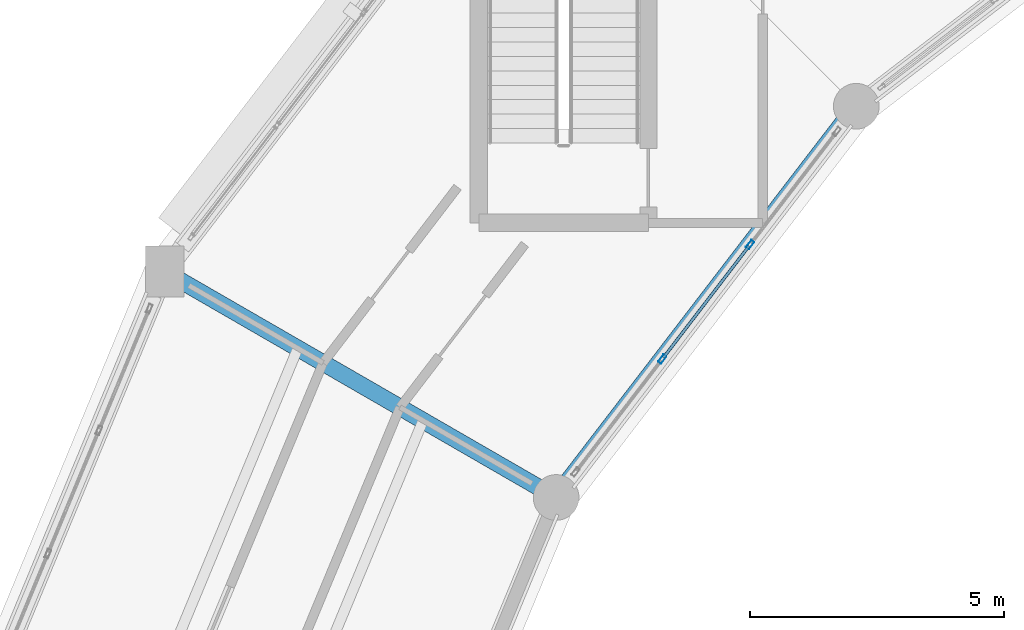
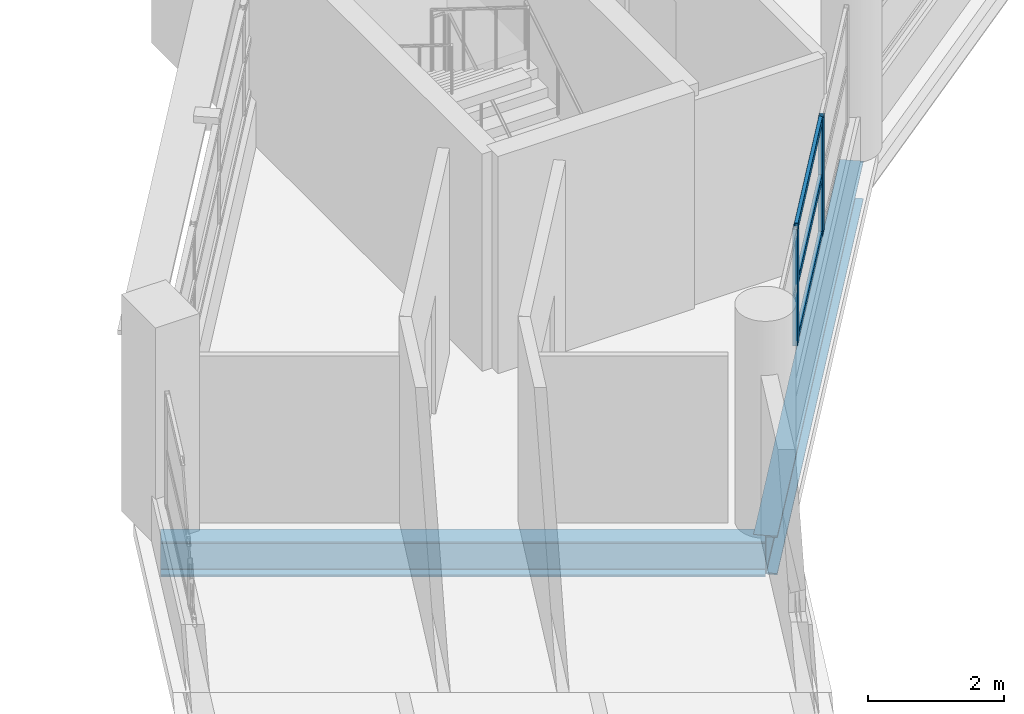
# One storey, part 23 of 53: 5 members, 2 beams, 1 element without a shape of its own.
"""IFC4 building model written with IfcOpenShell, lengths in metres."""

import ifcopenshell
import ifcopenshell.guid

model = None  # the IFC model being written
_history = None  # IfcOwnerHistory: only IFC2X3 demands one
_inside = {}  # id of a spatial element -> (the spatial element, [elements in it])
_under = {}  # id of a project, library or spatial element -> (it, [spatial elements below it])
_declared = {}  # id of a project -> (the project, [libraries it declares])
_typed = {}  # id of a type object -> (the type object, [elements of that type])
_made_of = {}  # id of a material, layer set ... -> (it, [elements and type objects made of it])


def new_model(schema):
    """Start an empty IFC model of exactly this schema.

    Asked for "IFC4X3", IfcOpenShell would pick the latest addendum, in which some entities
    have other attributes; the version numbers below select the first issue.
    IFC2X3 requires an IfcOwnerHistory on every rooted entity: one is made here for all.
    """
    global model, _history
    if schema == "IFC4X3":
        model = ifcopenshell.file(schema_version=(4, 3, 0, 0))
    else:
        model = ifcopenshell.file(schema=schema)
    _inside.clear()
    _under.clear()
    _declared.clear()
    _typed.clear()
    _made_of.clear()
    _history = None
    if model.schema == "IFC2X3":
        org = make("IfcOrganization", Name="unknown")
        user = make(
            "IfcPersonAndOrganization",
            ThePerson=make("IfcPerson", FamilyName="unknown"),
            TheOrganization=org,
        )
        app = make(
            "IfcApplication",
            ApplicationDeveloper=org,
            Version="unknown",
            ApplicationFullName="unknown",
            ApplicationIdentifier="unknown",
        )
        _history = make(
            "IfcOwnerHistory",
            OwningUser=user,
            OwningApplication=app,
            ChangeAction="ADDED",
            CreationDate=0,
        )
    return model


def make(cls, **values):
    """One entity of the class cls with the attributes given. An attribute that is None is left unset."""
    return model.create_entity(
        cls, **{name: value for name, value in values.items() if value is not None}
    )


def rooted(cls, **values):
    """An entity with a GlobalId (a new one), such as an element, a storey or a relation."""
    return make(cls, GlobalId=ifcopenshell.guid.new(), OwnerHistory=_history, **values)


def si_unit(unit_type, name, prefix=None):
    """IfcSIUnit, for example si_unit("LENGTHUNIT", "METRE", prefix="MILLI")."""
    return make("IfcSIUnit", UnitType=unit_type, Prefix=prefix, Name=name)


def assignment(units):
    """IfcUnitAssignment: the units of a project."""
    return None if units is None else make("IfcUnitAssignment", Units=units)


def point(xyz):
    """IfcCartesianPoint."""
    return None if xyz is None else make("IfcCartesianPoint", Coordinates=xyz)


def direction(xyz):
    """IfcDirection."""
    return None if xyz is None else make("IfcDirection", DirectionRatios=xyz)


def frame(location, z_axis=None, x_axis=None):
    """IfcAxis2Placement3D, a coordinate frame: its origin and axes. An axis left out is left unset."""
    return make(
        "IfcAxis2Placement3D",
        Location=point(location),
        Axis=direction(z_axis),
        RefDirection=direction(x_axis),
    )


def frame_2d(location, x_axis=None):
    """IfcAxis2Placement2D, a coordinate frame in the plane: its origin and x axis."""
    return make(
        "IfcAxis2Placement2D", Location=point(location), RefDirection=direction(x_axis)
    )


def origin():
    """The frame at (0, 0, 0) with its axes left unset."""
    return frame((0.0, 0.0, 0.0))


def origin_2d():
    """The frame at (0, 0) in the plane with its x axis left unset."""
    return frame_2d((0.0, 0.0))


def place(relative_to, where):
    """IfcLocalPlacement: puts the frame where relative to a parent placement (None: the world)."""
    return make(
        "IfcLocalPlacement", PlacementRelTo=relative_to, RelativePlacement=where
    )


def context(
    kind, dimensions, precision=None, world=None, true_north=None, identifier=None
):
    """IfcGeometricRepresentationContext, for example the 3D "Model" context."""
    return make(
        "IfcGeometricRepresentationContext",
        ContextIdentifier=identifier,
        ContextType=kind,
        CoordinateSpaceDimension=dimensions,
        Precision=precision,
        WorldCoordinateSystem=world,
        TrueNorth=true_north,
    )


def subcontext(parent, identifier, kind, view, scale=None):
    """IfcGeometricRepresentationSubContext, for example "Body" below "Model"."""
    return make(
        "IfcGeometricRepresentationSubContext",
        ContextIdentifier=identifier,
        ContextType=kind,
        ParentContext=parent,
        TargetScale=scale,
        TargetView=view,
    )


def project(units=None, contexts=None):
    """IfcProject with its units and contexts."""
    return rooted(
        "IfcProject",
        Name="project",
        RepresentationContexts=contexts,
        UnitsInContext=assignment(units),
    )


def spatial(cls, under=None, at=None, **own):
    """A site, building, storey or space (cls), placed at a placement, below another one or the project."""
    s = rooted(cls, ObjectPlacement=at, **own)
    if under is not None:
        _under.setdefault(under.id(), (under, []))[1].append(s)
    return s


def profile(cls, at=None, kind="AREA", **sizes):
    """A parametric profile (cls). Its sizes go by their IFC names, for example OverallWidth=200.0."""
    return make(cls, ProfileType=kind, Position=at, **sizes)


def hollow_rectangle(**sizes):
    """IfcRectangleHollowProfileDef."""
    return profile("IfcRectangleHollowProfileDef", **sizes)


def i_section(**sizes):
    """IfcIShapeProfileDef."""
    return profile("IfcIShapeProfileDef", **sizes)


def extrude(swept, where, along, depth):
    """IfcExtrudedAreaSolid: the profile swept, set in the frame where, extruded along a direction by depth."""
    return make(
        "IfcExtrudedAreaSolid",
        SweptArea=swept,
        Position=where,
        ExtrudedDirection=direction(along),
        Depth=depth,
    )


def shape(context_of_items, identifier, shape_type, items):
    """IfcShapeRepresentation: the items that make up one representation, for example the "Body"."""
    return make(
        "IfcShapeRepresentation",
        ContextOfItems=context_of_items,
        RepresentationIdentifier=identifier,
        RepresentationType=shape_type,
        Items=items,
    )


def material(Name=None, Category=None):
    """IfcMaterial."""
    return make("IfcMaterial", Name=Name, Category=Category)


def layer(
    of_material, thickness, ventilated=None, Name=None, Category=None, Priority=None
):
    """IfcMaterialLayer: one layer of a wall or slab, of a material (None: an air gap)."""
    return make(
        "IfcMaterialLayer",
        Material=of_material,
        LayerThickness=thickness,
        IsVentilated=ventilated,
        Name=Name,
        Category=Category,
        Priority=Priority,
    )


def layer_set(layers, Name=None):
    """IfcMaterialLayerSet."""
    return make("IfcMaterialLayerSet", MaterialLayers=layers, LayerSetName=Name)


def material_profile(
    of_material, cross_section, Name=None, Category=None, Priority=None
):
    """IfcMaterialProfile: a cross section and its material."""
    return make(
        "IfcMaterialProfile",
        Name=Name,
        Material=of_material,
        Profile=cross_section,
        Priority=Priority,
        Category=Category,
    )


def profile_set(profiles, Name=None, composite=None):
    """IfcMaterialProfileSet."""
    return make(
        "IfcMaterialProfileSet",
        Name=Name,
        MaterialProfiles=profiles,
        CompositeProfile=composite,
    )


def made_of(thing, what):
    """Note that an element or type object is made of a material, layer set ...; save() writes the relation."""
    if what is not None:
        _made_of.setdefault(what.id(), (what, []))[1].append(thing)
    return thing


def type_object(cls, material=None, **own):
    """A type object (cls), such as IfcWallType, which elements share."""
    return made_of(rooted(cls, **own), material)


def element(
    cls,
    number,
    at=None,
    inside=None,
    cuts=None,
    type_object=None,
    material=None,
    context=None,
    identifier="Body",
    shape_type=None,
    held_by="IfcProductDefinitionShape",
    body=None,
    shapes=None,
    **own,
):
    """One element of the class cls, such as IfcWall. Its Tag is "e" and its number.

    at: its placement. inside: the storey or other place that contains it. cuts: it is an
    opening in that element (IfcRelVoidsElement). A single representation is given by context,
    identifier, shape_type and body (its items); several are given by shapes. held_by: the class
    of the entity that holds the representations. save() writes the other relations.
    """
    e = rooted(cls, Tag="e%d" % number, ObjectPlacement=at, **own)
    if body is not None:
        shapes = [shape(context, identifier, shape_type, body)]
    if shapes is not None:
        e.Representation = make(held_by, Representations=shapes)
    if inside is not None:
        _inside.setdefault(inside.id(), (inside, []))[1].append(e)
    if cuts is not None:
        rooted(
            "IfcRelVoidsElement", RelatingBuildingElement=cuts, RelatedOpeningElement=e
        )
    if type_object is not None:
        _typed.setdefault(type_object.id(), (type_object, []))[1].append(e)
    return made_of(e, material)


def aggregate(whole, parts):
    """IfcRelAggregates: a whole, such as a stair, and the parts it consists of."""
    return rooted("IfcRelAggregates", RelatingObject=whole, RelatedObjects=parts)


def save(model, path):
    """Write the relations noted so far, then the file.

    IfcRelAggregates (storeys below a building ...), IfcRelContainedInSpatialStructure (elements
    in a storey), IfcRelDefinesByType, IfcRelAssociatesMaterial and IfcRelDeclares: one each for
    every whole, place, type object, material and project.
    """
    for whole, parts in _under.values():
        aggregate(whole, parts)
    for where, things in _inside.values():
        rooted(
            "IfcRelContainedInSpatialStructure",
            RelatedElements=things,
            RelatingStructure=where,
        )
    for kind, things in _typed.values():
        rooted("IfcRelDefinesByType", RelatedObjects=things, RelatingType=kind)
    for what, things in _made_of.values():
        rooted("IfcRelAssociatesMaterial", RelatedObjects=things, RelatingMaterial=what)
    for by, libraries in _declared.values():
        rooted("IfcRelDeclares", RelatingContext=by, RelatedDefinitions=libraries)
    model.write(path)


model = new_model("IFC4")

# Units and contexts
model_context = context("Model", 3, precision=1e-05, world=origin(), true_north=direction((0.0, 1.0)))
body_context = subcontext(model_context, "Body", "Model", "MODEL_VIEW")
ifc_project = project(units=[si_unit("LENGTHUNIT", "METRE"), si_unit("AREAUNIT", "SQUARE_METRE"), si_unit("VOLUMEUNIT", "CUBIC_METRE"), si_unit("PLANEANGLEUNIT", "RADIAN"), si_unit("MASSUNIT", "GRAM", prefix="KILO")], contexts=[model_context])

# Site, building, storey
site_placement = place(None, origin())
site = spatial("IfcSite", under=ifc_project, at=site_placement, CompositionType="ELEMENT")
building_placement = place(site_placement, origin())
building = spatial("IfcBuilding", under=site, at=building_placement, Name="Vespera Passage Community Centre", CompositionType="ELEMENT")
storey_placement = place(building_placement, frame((0.0, 0.0, 20.39990234375)))
storey = spatial("IfcBuildingStorey", under=building, at=storey_placement, Name="L05", CompositionType="ELEMENT", Elevation=20.39990234375)

# Beams
ifc_material_1 = material(Name="Steel ASTM A992 Grade 50", Category="steel")
ifc_material_profile_1 = material_profile(ifc_material_1, i_section(OverallWidth=0.32763671875, OverallDepth=0.62841796875, WebThickness=0.0166015625, FlangeThickness=0.027587890625, FilletRadius=0.0126953125, at=origin_2d()), Name="W24X146")
ifc_profile_set_1 = profile_set([ifc_material_profile_1], Name="Steel ASTM A992 Grade 50")
beam_type_1 = type_object("IfcBeamType", Name="BM-G-W24X146", PredefinedType="BEAM", material=ifc_profile_set_1)
beam_1_placement = place(storey_placement, frame((45.783935546875, 84.10009765625, -0.57421875), z_axis=(-0.866031643847, 0.499989191739, 0.0), x_axis=(-0.499989191739, -0.866031643847, 0.0)))
element("IfcBeam", 1, at=beam_1_placement, inside=storey, type_object=beam_type_1, Name="V4 L05 Radial Girder 10", PredefinedType="BEAM", context=body_context, shape_type="SweptSolid", body=[
    extrude(i_section(OverallWidth=0.32763671875, OverallDepth=0.62841796875, WebThickness=0.0166015625, FlangeThickness=0.027587890625, FilletRadius=0.0126953125, at=origin_2d()), origin(), (0.0, 0.0, 1.0), 8.900146484375),
])
ifc_material_2 = material(Name="Steel ASTM A992 Grade 50", Category="steel")
ifc_material_profile_2 = material_profile(ifc_material_2, i_section(OverallWidth=0.3544921875, OverallDepth=0.695556640625, WebThickness=0.015380859375, FlangeThickness=0.024658203125, FilletRadius=0.01513671875, at=origin_2d()), Name="W27X146")
ifc_profile_set_2 = profile_set([ifc_material_profile_2], Name="Steel ASTM A992 Grade 50")
beam_type_2 = type_object("IfcBeamType", Name="BM-SP-W27X146E", PredefinedType="SPANDREL", material=ifc_profile_set_2)
beam_2_placement = place(storey_placement, frame((51.695556640625, 91.804443359375, -0.607666015625), z_axis=(-0.60875291963, -0.793359869694, 0.0), x_axis=(0.793359869694, -0.60875291963, 0.0)))
element("IfcBeam", 2, at=beam_2_placement, inside=storey, type_object=beam_type_2, Name="V4 L05 Inner Spandrel 9", PredefinedType="SPANDREL", context=body_context, shape_type="SweptSolid", body=[
    extrude(i_section(OverallWidth=0.3544921875, OverallDepth=0.695556640625, WebThickness=0.015380859375, FlangeThickness=0.024658203125, FilletRadius=0.01513671875, at=origin_2d()), origin(), (0.0, 0.0, 1.0), 9.7109375),
])

# Curtain wall, members
ifc_material_3 = material(Name="Anodized aluminium 6063-T6", Category="aluminium")
ifc_layer = layer(ifc_material_3, 0.159912109375)
ifc_layer_set = layer_set([ifc_layer], Name="Anodized aluminium 6063-T6")
curtain_wall_type = type_object("IfcCurtainWallType", Name="CW-54E", PredefinedType="NOTDEFINED", material=ifc_layer_set)
curtain_wall_placement = place(storey_placement, origin())
curtain_wall = element("IfcCurtainWall", 3, at=curtain_wall_placement, inside=storey, type_object=curtain_wall_type, Name="V4 L05 Inner Court Curtain Wall 9", PredefinedType="NOTDEFINED")
ifc_material_4 = material(Name="Anodized aluminium 6063-T6", Category="aluminium")
ifc_material_profile_3 = material_profile(ifc_material_4, hollow_rectangle(XDim=0.074951171875, YDim=0.179931640625, WallThickness=0.0048828125, InnerFilletRadius=0.00244140625, OuterFilletRadius=0.0048828125, at=origin_2d()), Name="ALU180X75X5")
ifc_profile_set_3 = profile_set([ifc_material_profile_3], Name="Anodized aluminium 6063-T6")
member_type_1 = type_object("IfcMemberType", Name="MB-CWM-180E", PredefinedType="MULLION", material=ifc_profile_set_3)
member_1_placement = place(storey_placement, frame((49.604736328125, 89.079345703125, 0.820068359375), z_axis=(0.0, 0.0, 1.0), x_axis=(0.793358205999, -0.608755087843, 0.0)))
member_1 = element("IfcMember", 4, at=member_1_placement, type_object=member_type_1, Name="CW-54E mullion 2", PredefinedType="MULLION", context=body_context, shape_type="SweptSolid", body=[
    extrude(hollow_rectangle(XDim=0.074951171875, YDim=0.179931640625, WallThickness=0.0048828125, InnerFilletRadius=0.00244140625, OuterFilletRadius=0.0048828125, at=origin_2d()), origin(), (0.0, 0.0, 1.0), 2.08935546875),
])
member_2_placement = place(storey_placement, frame((47.874755859375, 86.824951171875, 0.820068359375), z_axis=(0.0, 0.0, 1.0), x_axis=(0.793358205999, -0.608755087843, 0.0)))
member_2 = element("IfcMember", 5, at=member_2_placement, type_object=member_type_1, Name="CW-54E mullion 3", PredefinedType="MULLION", context=body_context, shape_type="SweptSolid", body=[
    extrude(hollow_rectangle(XDim=0.074951171875, YDim=0.179931640625, WallThickness=0.0048828125, InnerFilletRadius=0.00244140625, OuterFilletRadius=0.0048828125, at=origin_2d()), origin(), (0.0, 0.0, 1.0), 2.08935546875),
])
ifc_material_5 = material(Name="Anodized aluminium 6063-T6", Category="aluminium")
ifc_material_profile_4 = material_profile(ifc_material_5, hollow_rectangle(XDim=0.06005859375, YDim=0.1201171875, WallThickness=0.00390625, InnerFilletRadius=0.001953125, OuterFilletRadius=0.00390625, at=origin_2d()), Name="ALU120X60X4")
ifc_profile_set_4 = profile_set([ifc_material_profile_4], Name="Anodized aluminium 6063-T6")
member_type_2 = type_object("IfcMemberType", Name="MB-CWT-120E", PredefinedType="USERDEFINED", material=ifc_profile_set_4)
member_3_placement = place(storey_placement, frame((49.581787109375, 89.049560546875, 0.85009765625), z_axis=(-0.608746452695, -0.793364831796, 0.0), x_axis=(0.793364831796, -0.608746452695, 0.0)))
member_3 = element("IfcMember", 6, at=member_3_placement, type_object=member_type_2, Name="CW-54E transom 2.1", ObjectType="TRANSOM", PredefinedType="USERDEFINED", context=body_context, shape_type="SweptSolid", body=[
    extrude(hollow_rectangle(XDim=0.06005859375, YDim=0.1201171875, WallThickness=0.00390625, InnerFilletRadius=0.001953125, OuterFilletRadius=0.00390625, at=origin_2d()), origin(), (0.0, 0.0, 1.0), 2.766357421875),
])
member_4_placement = place(storey_placement, frame((49.581787109375, 89.049560546875, 1.86474609375), z_axis=(-0.608746452695, -0.793364831796, 0.0), x_axis=(0.793364831796, -0.608746452695, 0.0)))
member_4 = element("IfcMember", 7, at=member_4_placement, type_object=member_type_2, Name="CW-54E transom 2.2", ObjectType="TRANSOM", PredefinedType="USERDEFINED", context=body_context, shape_type="SweptSolid", body=[
    extrude(hollow_rectangle(XDim=0.06005859375, YDim=0.1201171875, WallThickness=0.00390625, InnerFilletRadius=0.001953125, OuterFilletRadius=0.00390625, at=origin_2d()), origin(), (0.0, 0.0, 1.0), 2.766357421875),
])
member_5_placement = place(storey_placement, frame((49.581787109375, 89.049560546875, 2.87939453125), z_axis=(-0.608746452695, -0.793364831796, 0.0), x_axis=(0.793364831796, -0.608746452695, 0.0)))
member_5 = element("IfcMember", 8, at=member_5_placement, type_object=member_type_2, Name="CW-54E transom 2.3", ObjectType="TRANSOM", PredefinedType="USERDEFINED", context=body_context, shape_type="SweptSolid", body=[
    extrude(hollow_rectangle(XDim=0.06005859375, YDim=0.1201171875, WallThickness=0.00390625, InnerFilletRadius=0.001953125, OuterFilletRadius=0.00390625, at=origin_2d()), origin(), (0.0, 0.0, 1.0), 2.766357421875),
])
aggregate(curtain_wall, [member_1, member_2, member_3, member_4, member_5])

save(model, "model.ifc")
